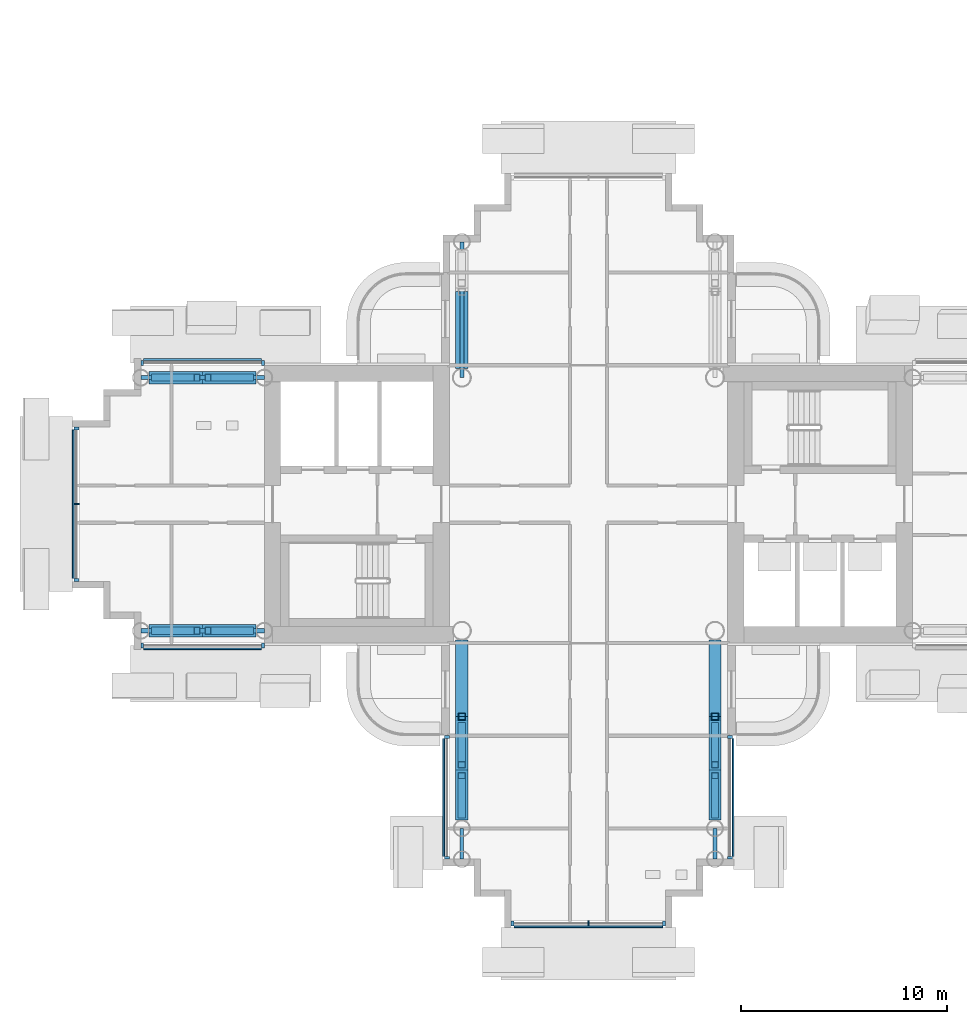
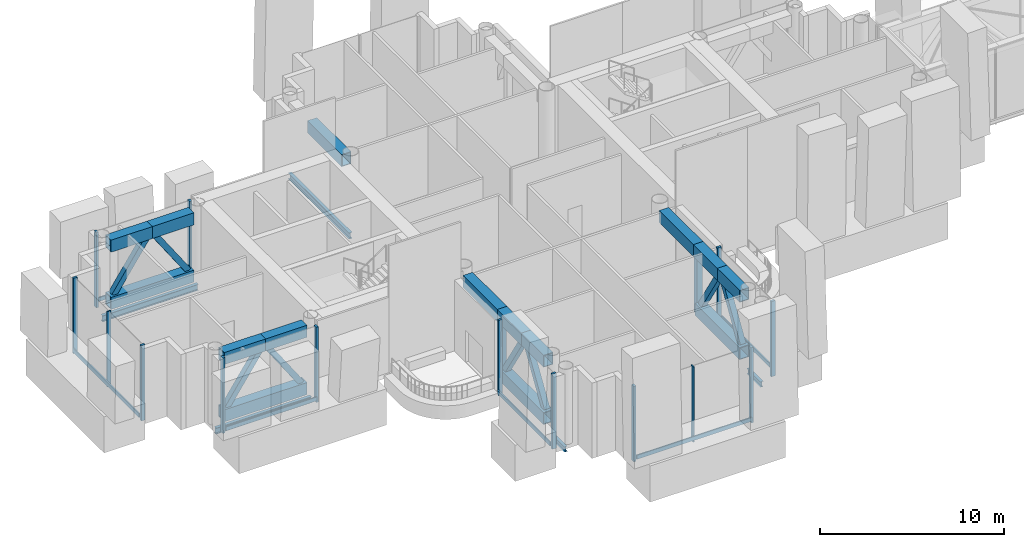
# One storey, part 3 of 34: 45 members, 5 beams, 6 elements without a shape of their own.
"""IFC4 building model written with IfcOpenShell, lengths in metres."""

from ifc_helpers import new_model, si_unit, direction, frame, origin, origin_2d, place, context, subcontext, project, spatial, rectangle, hollow_rectangle, i_section, extrude, material, layer, layer_set, material_profile, profile_set, type_object, element, aggregate, save


model = new_model("IFC4")

# Units and contexts
model_context = context("Model", 3, precision=1e-05, world=origin(), true_north=direction((0.0, 1.0)))
body_context = subcontext(model_context, "Body", "Model", "MODEL_VIEW")
ifc_project = project(units=[si_unit("LENGTHUNIT", "METRE"), si_unit("AREAUNIT", "SQUARE_METRE"), si_unit("VOLUMEUNIT", "CUBIC_METRE"), si_unit("PLANEANGLEUNIT", "RADIAN"), si_unit("MASSUNIT", "GRAM", prefix="KILO")], contexts=[model_context])

# Site, building, storey
site_placement = place(None, origin())
site = spatial("IfcSite", under=ifc_project, at=site_placement, CompositionType="ELEMENT")
building_placement = place(site_placement, origin())
building = spatial("IfcBuilding", under=site, at=building_placement, Name="Ipe Terrace Towers", CompositionType="ELEMENT")
storey_placement = place(building_placement, frame((0.0, 0.0, 128.699951171875)))
storey = spatial("IfcBuildingStorey", under=building, at=storey_placement, Name="L35", CompositionType="ELEMENT", Elevation=128.699951171875)

# Beams
ifc_material_1 = material(Name="Steel S355", Category="steel")
ifc_material_profile_1 = material_profile(ifc_material_1, i_section(OverallWidth=0.175048828125, OverallDepth=0.35009765625, WebThickness=0.007080078125, FlangeThickness=0.010986328125, at=origin_2d()), Name="H-350x175x7x11")
ifc_profile_set_1 = profile_set([ifc_material_profile_1], Name="Steel S355")
beam_type_1 = type_object("IfcBeamType", Name="H04 EDGE BEAM H-350x175x7x11", PredefinedType="BEAM", material=ifc_profile_set_1)
for number, where, z_axis, x_axis, name in (
    (1, (-42.14990234375, -15.75, -0.574951171875), (0.0, -1.0, 0.0), (1.0, 0.0, 0.0), "Edge beam T1-EB-D03-D05"),
    (2, (-29.85009765625, -15.75, -0.574951171875), (0.0, -1.0, 0.0), (1.0, 0.0, 0.0), "Edge beam T1-EB-D04-D06"),
):
    element("IfcBeam", number, at=place(storey_placement, frame(where, z_axis=z_axis, x_axis=x_axis)), inside=storey, type_object=beam_type_1, Name=name, PredefinedType="BEAM", context=body_context, shape_type="SweptSolid", body=[
        extrude(i_section(OverallWidth=0.175048828125, OverallDepth=0.35009765625, WebThickness=0.007080078125, FlangeThickness=0.010986328125, at=origin_2d()), origin(), (0.0, 0.0, 1.0), 1.5),
    ])
ifc_material_2 = material(Name="Steel S355", Category="steel")
ifc_material_profile_2 = material_profile(ifc_material_2, i_section(OverallWidth=0.199951171875, OverallDepth=0.39990234375, WebThickness=0.008056640625, FlangeThickness=0.012939453125, at=origin_2d()), Name="H-400x200x8x13")
ifc_profile_set_2 = profile_set([ifc_material_profile_2], Name="Steel S355")
beam_type_2 = type_object("IfcBeamType", Name="H06 EDGE BEAM H-400x200x8x13", PredefinedType="BEAM", material=ifc_profile_set_2)
beam_placement = place(storey_placement, frame((-42.14990234375, 12.75, -0.599853515625), z_axis=(0.0, -1.0, 0.0), x_axis=(1.0, 0.0, 0.0)))
element("IfcBeam", 3, at=beam_placement, inside=storey, type_object=beam_type_2, Name="Edge beam T1-EB-B02-E04", PredefinedType="BEAM", context=body_context, shape_type="SweptSolid", body=[
    extrude(i_section(OverallWidth=0.199951171875, OverallDepth=0.39990234375, WebThickness=0.008056640625, FlangeThickness=0.012939453125, at=origin_2d()), origin(), (0.0, 0.0, 1.0), 6.60009765625),
])
for number, where, z_axis, x_axis, name in (
    (4, (-51.75, -6.14990234375, -0.599853515625), (-1.0, 0.0, 0.0), (0.0, -1.0, 0.0), "Edge beam T1-EB-C01-C03"),
    (5, (-51.75, 6.14990234375, -0.599853515625), (-1.0, 0.0, 0.0), (0.0, -1.0, 0.0), "Edge beam T1-EB-C02-C04"),
):
    element("IfcBeam", number, at=place(storey_placement, frame(where, z_axis=z_axis, x_axis=x_axis)), inside=storey, type_object=beam_type_2, Name=name, PredefinedType="BEAM", context=body_context, shape_type="SweptSolid", body=[
        extrude(i_section(OverallWidth=0.199951171875, OverallDepth=0.39990234375, WebThickness=0.008056640625, FlangeThickness=0.012939453125, at=origin_2d()), origin(), (0.0, 0.0, 1.0), 6.0),
    ])

# Members
ifc_material_3 = material(Name="Steel S355", Category="steel")
ifc_material_profile_3 = material_profile(ifc_material_3, hollow_rectangle(XDim=0.35009765625, YDim=0.35009765625, WallThickness=0.02001953125, at=origin_2d()), Name="OUTRIGGER-BRACE BOX 350x350x20")
ifc_profile_set_3 = profile_set([ifc_material_profile_3], Name="Steel S355")
member_type_1 = type_object("IfcMemberType", Name="OUTRIGGER-BRACE BOX 350x350x20", PredefinedType="BRACE", material=ifc_profile_set_3)
for number, where, z_axis, x_axis, name in (
    (6, (-52.4169921875, -6.14990234375, 0.780029296875), (-0.56206654505, 0.0, 0.827092013585), (0.0, -1.0, 0.0), "T1-OR-L35-162 diagonal"),
    (7, (-57.0830078125, -6.14990234375, 0.780029296875), (0.56206654505, 0.0, 0.827092013585), (0.0, 1.0, 0.0), "T1-OR-L35-163 diagonal"),
    (8, (-52.4169921875, 6.14990234375, 0.780029296875), (-0.56206654505, 0.0, 0.827092013585), (0.0, -1.0, 0.0), "T1-OR-L35-167 diagonal"),
    (9, (-57.0830078125, 6.14990234375, 0.780029296875), (0.56206654505, 0.0, 0.827092013585), (0.0, 1.0, 0.0), "T1-OR-L35-168 diagonal"),
):
    element("IfcMember", number, at=place(storey_placement, frame(where, z_axis=z_axis, x_axis=x_axis)), inside=storey, type_object=member_type_1, Name=name, PredefinedType="BRACE", context=body_context, shape_type="SweptSolid", body=[
        extrude(hollow_rectangle(XDim=0.35009765625, YDim=0.35009765625, WallThickness=0.02001953125, at=origin_2d()), origin(), (0.0, 0.0, 1.0), 3.675537109375),
    ])
for number, where, z_axis, x_axis, name in (
    (10, (-29.85009765625, -10.761962890625, 0.780029296875), (0.0, -0.530219259302, 0.847860564636), (1.0, 0.0, 0.0), "T1-OR-L35-182 diagonal"),
    (11, (-29.85009765625, -15.087890625, 0.780029296875), (0.0, 0.530170308736, 0.847891174464), (-1.0, 0.0, 0.0), "T1-OR-L35-183 diagonal"),
    (12, (-42.14990234375, -10.761962890625, 0.780029296875), (0.0, -0.530219259302, 0.847860564636), (1.0, 0.0, 0.0), "T1-OR-L35-189 diagonal"),
    (13, (-42.14990234375, -15.087890625, 0.780029296875), (0.0, 0.530170308736, 0.847891174464), (-1.0, 0.0, 0.0), "T1-OR-L35-190 diagonal"),
):
    element("IfcMember", number, at=place(storey_placement, frame(where, z_axis=z_axis, x_axis=x_axis)), inside=storey, type_object=member_type_1, Name=name, PredefinedType="BRACE", context=body_context, shape_type="SweptSolid", body=[
        extrude(hollow_rectangle(XDim=0.35009765625, YDim=0.35009765625, WallThickness=0.02001953125, at=origin_2d()), origin(), (0.0, 0.0, 1.0), 3.58544921875),
    ])
ifc_material_4 = material(Name="Steel S355", Category="steel")
ifc_material_profile_4 = material_profile(ifc_material_4, hollow_rectangle(XDim=0.60009765625, YDim=0.800048828125, WallThickness=0.0400390625, at=origin_2d()), Name="OUTRIGGER-CHORD BOX 600x800x40")
ifc_profile_set_4 = profile_set([ifc_material_profile_4], Name="Steel S355")
member_type_2 = type_object("IfcMemberType", Name="OUTRIGGER-CHORD BOX 600x800x40", PredefinedType="CHORD", material=ifc_profile_set_4)
member_1_placement = place(storey_placement, frame((-52.14990234375, -6.14990234375, 0.400146484375), z_axis=(-1.0, 0.0, 0.0), x_axis=(0.0, -1.0, 0.0)))
element("IfcMember", 14, at=member_1_placement, inside=storey, type_object=member_type_2, Name="T1-OR-L35-161 bottom chord", PredefinedType="CHORD", context=body_context, shape_type="SweptSolid", body=[
    extrude(hollow_rectangle(XDim=0.60009765625, YDim=0.800048828125, WallThickness=0.0400390625, at=origin_2d()), origin(), (0.0, 0.0, 1.0), 5.2001953125),
])
for number, where, z_axis, x_axis, name in (
    (15, (-52.14990234375, -6.14990234375, 4.199951171875), (-1.0, 0.0, 0.0), (0.0, -1.0, 0.0), "T1-OR-L35-164 top chord"),
    (16, (-54.75, -6.14990234375, 4.199951171875), (-1.0, 0.0, 0.0), (0.0, -1.0, 0.0), "T1-OR-L35-165 top chord"),
):
    element("IfcMember", number, at=place(storey_placement, frame(where, z_axis=z_axis, x_axis=x_axis)), inside=storey, type_object=member_type_2, Name=name, PredefinedType="CHORD", context=body_context, shape_type="SweptSolid", body=[
        extrude(hollow_rectangle(XDim=0.60009765625, YDim=0.800048828125, WallThickness=0.0400390625, at=origin_2d()), origin(), (0.0, 0.0, 1.0), 2.60009765625),
    ])
member_2_placement = place(storey_placement, frame((-52.14990234375, 6.14990234375, 0.400146484375), z_axis=(-1.0, 0.0, 0.0), x_axis=(0.0, -1.0, 0.0)))
element("IfcMember", 17, at=member_2_placement, inside=storey, type_object=member_type_2, Name="T1-OR-L35-166 bottom chord", PredefinedType="CHORD", context=body_context, shape_type="SweptSolid", body=[
    extrude(hollow_rectangle(XDim=0.60009765625, YDim=0.800048828125, WallThickness=0.0400390625, at=origin_2d()), origin(), (0.0, 0.0, 1.0), 5.2001953125),
])
for number, where, z_axis, x_axis, name in (
    (18, (-52.14990234375, 6.14990234375, 4.199951171875), (-1.0, 0.0, 0.0), (0.0, -1.0, 0.0), "T1-OR-L35-169 top chord"),
    (19, (-54.75, 6.14990234375, 4.199951171875), (-1.0, 0.0, 0.0), (0.0, -1.0, 0.0), "T1-OR-L35-170 top chord"),
):
    element("IfcMember", number, at=place(storey_placement, frame(where, z_axis=z_axis, x_axis=x_axis)), inside=storey, type_object=member_type_2, Name=name, PredefinedType="CHORD", context=body_context, shape_type="SweptSolid", body=[
        extrude(hollow_rectangle(XDim=0.60009765625, YDim=0.800048828125, WallThickness=0.0400390625, at=origin_2d()), origin(), (0.0, 0.0, 1.0), 2.60009765625),
    ])
member_3_placement = place(storey_placement, frame((-42.14990234375, 6.60009765625, 4.199951171875), z_axis=(0.0, 1.0, 0.0), x_axis=(-1.0, 0.0, 0.0)))
element("IfcMember", 20, at=member_3_placement, inside=storey, type_object=member_type_2, Name="T1-OR-L35-174 top chord", PredefinedType="CHORD", context=body_context, shape_type="SweptSolid", body=[
    extrude(hollow_rectangle(XDim=0.60009765625, YDim=0.800048828125, WallThickness=0.0400390625, at=origin_2d()), origin(), (0.0, 0.0, 1.0), 3.724853515625),
])
member_4_placement = place(storey_placement, frame((-29.85009765625, -10.5, 0.400146484375), z_axis=(0.0, -1.0, 0.0), x_axis=(1.0, 0.0, 0.0)))
element("IfcMember", 21, at=member_4_placement, inside=storey, type_object=member_type_2, Name="T1-OR-L35-181 bottom chord", PredefinedType="CHORD", context=body_context, shape_type="SweptSolid", body=[
    extrude(hollow_rectangle(XDim=0.60009765625, YDim=0.800048828125, WallThickness=0.0400390625, at=origin_2d()), origin(), (0.0, 0.0, 1.0), 4.85009765625),
])
member_5_placement = place(storey_placement, frame((-29.85009765625, -6.60009765625, 4.199951171875), z_axis=(0.0, -1.0, 0.0), x_axis=(1.0, 0.0, 0.0)))
element("IfcMember", 22, at=member_5_placement, inside=storey, type_object=member_type_2, Name="T1-OR-L35-185 top chord", PredefinedType="CHORD", context=body_context, shape_type="SweptSolid", body=[
    extrude(hollow_rectangle(XDim=0.60009765625, YDim=0.800048828125, WallThickness=0.0400390625, at=origin_2d()), origin(), (0.0, 0.0, 1.0), 3.724853515625),
])
member_6_placement = place(storey_placement, frame((-29.85009765625, -10.324951171875, 4.199951171875), z_axis=(0.0, -1.0, 0.0), x_axis=(1.0, 0.0, 0.0)))
element("IfcMember", 23, at=member_6_placement, inside=storey, type_object=member_type_2, Name="T1-OR-L35-186 top chord", PredefinedType="CHORD", context=body_context, shape_type="SweptSolid", body=[
    extrude(hollow_rectangle(XDim=0.60009765625, YDim=0.800048828125, WallThickness=0.0400390625, at=origin_2d()), origin(), (0.0, 0.0, 1.0), 2.60009765625),
])
member_7_placement = place(storey_placement, frame((-29.85009765625, -12.925048828125, 4.199951171875), z_axis=(0.0, -1.0, 0.0), x_axis=(1.0, 0.0, 0.0)))
element("IfcMember", 24, at=member_7_placement, inside=storey, type_object=member_type_2, Name="T1-OR-L35-187 top chord", PredefinedType="CHORD", context=body_context, shape_type="SweptSolid", body=[
    extrude(hollow_rectangle(XDim=0.60009765625, YDim=0.800048828125, WallThickness=0.0400390625, at=origin_2d()), origin(), (0.0, 0.0, 1.0), 2.425048828125),
])
member_8_placement = place(storey_placement, frame((-42.14990234375, -10.5, 0.400146484375), z_axis=(0.0, -1.0, 0.0), x_axis=(1.0, 0.0, 0.0)))
element("IfcMember", 25, at=member_8_placement, inside=storey, type_object=member_type_2, Name="T1-OR-L35-188 bottom chord", PredefinedType="CHORD", context=body_context, shape_type="SweptSolid", body=[
    extrude(hollow_rectangle(XDim=0.60009765625, YDim=0.800048828125, WallThickness=0.0400390625, at=origin_2d()), origin(), (0.0, 0.0, 1.0), 4.85009765625),
])
member_9_placement = place(storey_placement, frame((-42.14990234375, -6.60009765625, 4.199951171875), z_axis=(0.0, -1.0, 0.0), x_axis=(1.0, 0.0, 0.0)))
element("IfcMember", 26, at=member_9_placement, inside=storey, type_object=member_type_2, Name="T1-OR-L35-192 top chord", PredefinedType="CHORD", context=body_context, shape_type="SweptSolid", body=[
    extrude(hollow_rectangle(XDim=0.60009765625, YDim=0.800048828125, WallThickness=0.0400390625, at=origin_2d()), origin(), (0.0, 0.0, 1.0), 3.724853515625),
])
member_10_placement = place(storey_placement, frame((-42.14990234375, -10.324951171875, 4.199951171875), z_axis=(0.0, -1.0, 0.0), x_axis=(1.0, 0.0, 0.0)))
element("IfcMember", 27, at=member_10_placement, inside=storey, type_object=member_type_2, Name="T1-OR-L35-193 top chord", PredefinedType="CHORD", context=body_context, shape_type="SweptSolid", body=[
    extrude(hollow_rectangle(XDim=0.60009765625, YDim=0.800048828125, WallThickness=0.0400390625, at=origin_2d()), origin(), (0.0, 0.0, 1.0), 2.60009765625),
])
member_11_placement = place(storey_placement, frame((-42.14990234375, -12.925048828125, 4.199951171875), z_axis=(0.0, -1.0, 0.0), x_axis=(1.0, 0.0, 0.0)))
element("IfcMember", 28, at=member_11_placement, inside=storey, type_object=member_type_2, Name="T1-OR-L35-194 top chord", PredefinedType="CHORD", context=body_context, shape_type="SweptSolid", body=[
    extrude(hollow_rectangle(XDim=0.60009765625, YDim=0.800048828125, WallThickness=0.0400390625, at=origin_2d()), origin(), (0.0, 0.0, 1.0), 2.425048828125),
])
ifc_material_5 = material(Name="Steel S355", Category="steel")
ifc_material_profile_5 = material_profile(ifc_material_5, hollow_rectangle(XDim=0.35009765625, YDim=0.35009765625, WallThickness=0.02001953125, at=origin_2d()), Name="OUTRIGGER-POST BOX 350x350x20")
ifc_profile_set_5 = profile_set([ifc_material_profile_5], Name="Steel S355")
member_type_3 = type_object("IfcMemberType", Name="OUTRIGGER-POST BOX 350x350x20", PredefinedType="POST", material=ifc_profile_set_5)
for number, where, z_axis, x_axis, name in (
    (29, (-29.85009765625, -10.324951171875, 0.0), (0.0, 0.0, 1.0), (1.0, 0.0, 0.0), "T1-OR-L35-184 post"),
    (30, (-42.14990234375, -10.324951171875, 0.0), (0.0, 0.0, 1.0), (1.0, 0.0, 0.0), "T1-OR-L35-191 post"),
):
    element("IfcMember", number, at=place(storey_placement, frame(where, z_axis=z_axis, x_axis=x_axis)), inside=storey, type_object=member_type_3, Name=name, PredefinedType="POST", context=body_context, shape_type="SweptSolid", body=[
        extrude(hollow_rectangle(XDim=0.35009765625, YDim=0.35009765625, WallThickness=0.02001953125, at=origin_2d()), origin(), (0.0, 0.0, 1.0), 3.800048828125),
    ])

# Curtain wall, members
ifc_material_6 = material(Name="Aluminium alloy 6063-T6", Category="aluminium")
ifc_layer = layer(ifc_material_6, 0.320068359375)
ifc_layer_set = layer_set([ifc_layer], Name="REFUGE FLOOR CURTAIN WALL")
curtain_wall_type = type_object("IfcCurtainWallType", Name="REFUGE FLOOR CURTAIN WALL", PredefinedType="NOTDEFINED", material=ifc_layer_set)
curtain_wall_1_placement = place(storey_placement, origin())
curtain_wall_1 = element("IfcCurtainWall", 31, at=curtain_wall_1_placement, inside=storey, type_object=curtain_wall_type, Name="T1-CW-L35-04a curtain wall", PredefinedType="NOTDEFINED")
ifc_material_7 = material(Name="Aluminium alloy 6063-T6", Category="aluminium")
ifc_material_profile_6 = material_profile(ifc_material_7, rectangle(XDim=0.239990234375, YDim=0.139892578125, at=origin_2d()), Name="REFUGE FLOOR CORNER MULLION 240 x 140")
ifc_profile_set_6 = profile_set([ifc_material_profile_6], Name="Aluminium alloy 6063-T6")
member_type_4 = type_object("IfcMemberType", Name="REFUGE FLOOR CORNER MULLION 240 x 140", PredefinedType="MULLION", material=ifc_profile_set_6)
member_12_placement = place(storey_placement, frame((-57.679931640625, -6.8701171875, -0.300048828125), z_axis=(0.0, 0.0, 1.0), x_axis=(0.0, -1.0, 0.0)))
member_12 = element("IfcMember", 32, at=member_12_placement, type_object=member_type_4, Name="T1-CW-L35-04a mullion 1", PredefinedType="MULLION", context=body_context, shape_type="SweptSolid", body=[
    extrude(rectangle(XDim=0.239990234375, YDim=0.139892578125, at=origin_2d()), origin(), (0.0, 0.0, 1.0), 5.0),
])
member_13_placement = place(storey_placement, frame((-51.821044921875, -6.8701171875, -0.300048828125), z_axis=(0.0, 0.0, 1.0), x_axis=(0.0, -1.0, 0.0)))
member_13 = element("IfcMember", 33, at=member_13_placement, type_object=member_type_4, Name="T1-CW-L35-04a mullion 2", PredefinedType="MULLION", context=body_context, shape_type="SweptSolid", body=[
    extrude(rectangle(XDim=0.239990234375, YDim=0.139892578125, at=origin_2d()), origin(), (0.0, 0.0, 1.0), 5.0),
])

curtain_wall_2_placement = place(storey_placement, origin())
curtain_wall_2 = element("IfcCurtainWall", 34, at=curtain_wall_2_placement, inside=storey, type_object=curtain_wall_type, Name="T1-CW-L35-07a curtain wall", PredefinedType="NOTDEFINED")
member_14_placement = place(storey_placement, frame((-42.8701171875, -11.320068359375, -0.300048828125), z_axis=(0.0, 0.0, 1.0), x_axis=(-1.0, 0.0, 0.0)))
member_14 = element("IfcMember", 35, at=member_14_placement, type_object=member_type_4, Name="T1-CW-L35-07a mullion 1", PredefinedType="MULLION", context=body_context, shape_type="SweptSolid", body=[
    extrude(rectangle(XDim=0.239990234375, YDim=0.139892578125, at=origin_2d()), origin(), (0.0, 0.0, 1.0), 5.0),
])
member_15_placement = place(storey_placement, frame((-42.8701171875, -17.179931640625, -0.300048828125), z_axis=(0.0, 0.0, 1.0), x_axis=(-1.0, 0.0, 0.0)))
member_15 = element("IfcMember", 36, at=member_15_placement, type_object=member_type_4, Name="T1-CW-L35-07a mullion 2", PredefinedType="MULLION", context=body_context, shape_type="SweptSolid", body=[
    extrude(rectangle(XDim=0.239990234375, YDim=0.139892578125, at=origin_2d()), origin(), (0.0, 0.0, 1.0), 5.0),
])

curtain_wall_3_placement = place(storey_placement, origin())
curtain_wall_3 = element("IfcCurtainWall", 37, at=curtain_wall_3_placement, inside=storey, type_object=curtain_wall_type, Name="T1-CW-L35-12a curtain wall", PredefinedType="NOTDEFINED")
member_16_placement = place(storey_placement, frame((-39.679931640625, -20.3701171875, -0.300048828125), z_axis=(0.0, 0.0, 1.0), x_axis=(0.0, -1.0, 0.0)))
member_16 = element("IfcMember", 38, at=member_16_placement, type_object=member_type_4, Name="T1-CW-L35-12a mullion 1", PredefinedType="MULLION", context=body_context, shape_type="SweptSolid", body=[
    extrude(rectangle(XDim=0.239990234375, YDim=0.139892578125, at=origin_2d()), origin(), (0.0, 0.0, 1.0), 5.0),
])
member_17_placement = place(storey_placement, frame((-32.320068359375, -20.3701171875, -0.300048828125), z_axis=(0.0, 0.0, 1.0), x_axis=(0.0, -1.0, 0.0)))
member_17 = element("IfcMember", 39, at=member_17_placement, type_object=member_type_4, Name="T1-CW-L35-12a mullion 3", PredefinedType="MULLION", context=body_context, shape_type="SweptSolid", body=[
    extrude(rectangle(XDim=0.239990234375, YDim=0.139892578125, at=origin_2d()), origin(), (0.0, 0.0, 1.0), 5.0),
])

curtain_wall_4_placement = place(storey_placement, origin())
curtain_wall_4 = element("IfcCurtainWall", 40, at=curtain_wall_4_placement, inside=storey, type_object=curtain_wall_type, Name="T1-CW-L35-17a curtain wall", PredefinedType="NOTDEFINED")
member_18_placement = place(storey_placement, frame((-29.1298828125, -17.179931640625, -0.300048828125), z_axis=(0.0, 0.0, 1.0), x_axis=(1.0, 0.0, 0.0)))
member_18 = element("IfcMember", 41, at=member_18_placement, type_object=member_type_4, Name="T1-CW-L35-17a mullion 1", PredefinedType="MULLION", context=body_context, shape_type="SweptSolid", body=[
    extrude(rectangle(XDim=0.239990234375, YDim=0.139892578125, at=origin_2d()), origin(), (0.0, 0.0, 1.0), 5.0),
])
member_19_placement = place(storey_placement, frame((-29.1298828125, -11.320068359375, -0.300048828125), z_axis=(0.0, 0.0, 1.0), x_axis=(1.0, 0.0, 0.0)))
member_19 = element("IfcMember", 42, at=member_19_placement, type_object=member_type_4, Name="T1-CW-L35-17a mullion 2", PredefinedType="MULLION", context=body_context, shape_type="SweptSolid", body=[
    extrude(rectangle(XDim=0.239990234375, YDim=0.139892578125, at=origin_2d()), origin(), (0.0, 0.0, 1.0), 5.0),
])

curtain_wall_5_placement = place(storey_placement, origin())
curtain_wall_5 = element("IfcCurtainWall", 43, at=curtain_wall_5_placement, inside=storey, type_object=curtain_wall_type, Name="T1-CW-L35-46b curtain wall", PredefinedType="NOTDEFINED")
member_20_placement = place(storey_placement, frame((-51.821044921875, 6.8701171875, -0.300048828125), z_axis=(0.0, 0.0, 1.0), x_axis=(0.0, 1.0, 0.0)))
member_20 = element("IfcMember", 44, at=member_20_placement, type_object=member_type_4, Name="T1-CW-L35-46b mullion 1", PredefinedType="MULLION", context=body_context, shape_type="SweptSolid", body=[
    extrude(rectangle(XDim=0.239990234375, YDim=0.139892578125, at=origin_2d()), origin(), (0.0, 0.0, 1.0), 5.0),
])
member_21_placement = place(storey_placement, frame((-57.679931640625, 6.8701171875, -0.300048828125), z_axis=(0.0, 0.0, 1.0), x_axis=(0.0, 1.0, 0.0)))
member_21 = element("IfcMember", 45, at=member_21_placement, type_object=member_type_4, Name="T1-CW-L35-46b mullion 2", PredefinedType="MULLION", context=body_context, shape_type="SweptSolid", body=[
    extrude(rectangle(XDim=0.239990234375, YDim=0.139892578125, at=origin_2d()), origin(), (0.0, 0.0, 1.0), 5.0),
])

curtain_wall_6_placement = place(storey_placement, origin())
curtain_wall_6 = element("IfcCurtainWall", 46, at=curtain_wall_6_placement, inside=storey, type_object=curtain_wall_type, Name="T1-CW-L35-51a curtain wall", PredefinedType="NOTDEFINED")
member_22_placement = place(storey_placement, frame((-60.8701171875, 3.679931640625, -0.300048828125), z_axis=(0.0, 0.0, 1.0), x_axis=(-1.0, 0.0, 0.0)))
member_22 = element("IfcMember", 47, at=member_22_placement, type_object=member_type_4, Name="T1-CW-L35-51a mullion 1", PredefinedType="MULLION", context=body_context, shape_type="SweptSolid", body=[
    extrude(rectangle(XDim=0.239990234375, YDim=0.139892578125, at=origin_2d()), origin(), (0.0, 0.0, 1.0), 5.0),
])
member_23_placement = place(storey_placement, frame((-60.8701171875, -3.679931640625, -0.300048828125), z_axis=(0.0, 0.0, 1.0), x_axis=(-1.0, 0.0, 0.0)))
member_23 = element("IfcMember", 48, at=member_23_placement, type_object=member_type_4, Name="T1-CW-L35-51a mullion 3", PredefinedType="MULLION", context=body_context, shape_type="SweptSolid", body=[
    extrude(rectangle(XDim=0.239990234375, YDim=0.139892578125, at=origin_2d()), origin(), (0.0, 0.0, 1.0), 5.0),
])

# Member
ifc_material_8 = material(Name="Aluminium alloy 6063-T6", Category="aluminium")
ifc_material_profile_7 = material_profile(ifc_material_8, rectangle(XDim=0.239990234375, YDim=0.074951171875, at=origin_2d()), Name="REFUGE FLOOR MULLION 240 x 75")
ifc_profile_set_7 = profile_set([ifc_material_profile_7], Name="Aluminium alloy 6063-T6")
member_type_5 = type_object("IfcMemberType", Name="REFUGE FLOOR MULLION 240 x 75", PredefinedType="MULLION", material=ifc_profile_set_7)
member_24_placement = place(storey_placement, frame((-36.0, -20.3701171875, -0.300048828125), z_axis=(0.0, 0.0, 1.0), x_axis=(0.0, -1.0, 0.0)))
member_24 = element("IfcMember", 49, at=member_24_placement, type_object=member_type_5, Name="T1-CW-L35-12a mullion 2", PredefinedType="MULLION", context=body_context, shape_type="SweptSolid", body=[
    extrude(rectangle(XDim=0.239990234375, YDim=0.074951171875, at=origin_2d()), origin(), (0.0, 0.0, 1.0), 5.0),
])

member_25_placement = place(storey_placement, frame((-60.8701171875, 0.0, -0.300048828125), z_axis=(0.0, 0.0, 1.0), x_axis=(-1.0, 0.0, 0.0)))
member_25 = element("IfcMember", 50, at=member_25_placement, type_object=member_type_5, Name="T1-CW-L35-51a mullion 2", PredefinedType="MULLION", context=body_context, shape_type="SweptSolid", body=[
    extrude(rectangle(XDim=0.239990234375, YDim=0.074951171875, at=origin_2d()), origin(), (0.0, 0.0, 1.0), 5.0),
])

ifc_material_9 = material(Name="Aluminium alloy 6063-T6", Category="aluminium")
ifc_material_profile_8 = material_profile(ifc_material_9, rectangle(XDim=0.080078125, YDim=0.260009765625, at=origin_2d()), Name="REFUGE FLOOR TRANSOM 80 x 260")
ifc_profile_set_8 = profile_set([ifc_material_profile_8], Name="Aluminium alloy 6063-T6")
member_type_6 = type_object("IfcMemberType", Name="REFUGE FLOOR TRANSOM 80 x 260", PredefinedType="USERDEFINED", material=ifc_profile_set_8)
member_26_placement = place(storey_placement, frame((-57.610107421875, -7.030029296875, 0.0), z_axis=(1.0, 0.0, 0.0), x_axis=(0.0, -1.0, 0.0)))
member_26 = element("IfcMember", 51, at=member_26_placement, type_object=member_type_6, Name="T1-CW-L35-04a transom", ObjectType="TRANSOM", PredefinedType="USERDEFINED", context=body_context, shape_type="SweptSolid", body=[
    extrude(rectangle(XDim=0.080078125, YDim=0.260009765625, at=origin_2d()), origin(), (0.0, 0.0, 1.0), 5.718994140625),
])

aggregate(curtain_wall_1, [member_12, member_13, member_26])

member_27_placement = place(storey_placement, frame((-43.030029296875, -11.389892578125, 0.0), z_axis=(0.0, -1.0, 0.0), x_axis=(-1.0, 0.0, 0.0)))
member_27 = element("IfcMember", 52, at=member_27_placement, type_object=member_type_6, Name="T1-CW-L35-07a transom", ObjectType="TRANSOM", PredefinedType="USERDEFINED", context=body_context, shape_type="SweptSolid", body=[
    extrude(rectangle(XDim=0.080078125, YDim=0.260009765625, at=origin_2d()), origin(), (0.0, 0.0, 1.0), 5.72021484375),
])

aggregate(curtain_wall_2, [member_14, member_15, member_27])

member_28_placement = place(storey_placement, frame((-39.610107421875, -20.530029296875, 0.0), z_axis=(1.0, 0.0, 0.0), x_axis=(0.0, -1.0, 0.0)))
member_28 = element("IfcMember", 53, at=member_28_placement, type_object=member_type_6, Name="T1-CW-L35-12a transom", ObjectType="TRANSOM", PredefinedType="USERDEFINED", context=body_context, shape_type="SweptSolid", body=[
    extrude(rectangle(XDim=0.080078125, YDim=0.260009765625, at=origin_2d()), origin(), (0.0, 0.0, 1.0), 7.22021484375),
])

aggregate(curtain_wall_3, [member_16, member_24, member_17, member_28])

member_29_placement = place(storey_placement, frame((-28.969970703125, -17.110107421875, 0.0), z_axis=(0.0, 1.0, 0.0), x_axis=(1.0, 0.0, 0.0)))
member_29 = element("IfcMember", 54, at=member_29_placement, type_object=member_type_6, Name="T1-CW-L35-17a transom", ObjectType="TRANSOM", PredefinedType="USERDEFINED", context=body_context, shape_type="SweptSolid", body=[
    extrude(rectangle(XDim=0.080078125, YDim=0.260009765625, at=origin_2d()), origin(), (0.0, 0.0, 1.0), 5.72021484375),
])

aggregate(curtain_wall_4, [member_18, member_19, member_29])

member_30_placement = place(storey_placement, frame((-51.89111328125, 7.030029296875, 0.0), z_axis=(-1.0, 0.0, 0.0), x_axis=(0.0, 1.0, 0.0)))
member_30 = element("IfcMember", 55, at=member_30_placement, type_object=member_type_6, Name="T1-CW-L35-46b transom", ObjectType="TRANSOM", PredefinedType="USERDEFINED", context=body_context, shape_type="SweptSolid", body=[
    extrude(rectangle(XDim=0.080078125, YDim=0.260009765625, at=origin_2d()), origin(), (0.0, 0.0, 1.0), 5.718994140625),
])

aggregate(curtain_wall_5, [member_20, member_21, member_30])

member_31_placement = place(storey_placement, frame((-61.030029296875, 3.610107421875, 0.0), z_axis=(0.0, -1.0, 0.0), x_axis=(-1.0, 0.0, 0.0)))
member_31 = element("IfcMember", 56, at=member_31_placement, type_object=member_type_6, Name="T1-CW-L35-51a transom", ObjectType="TRANSOM", PredefinedType="USERDEFINED", context=body_context, shape_type="SweptSolid", body=[
    extrude(rectangle(XDim=0.080078125, YDim=0.260009765625, at=origin_2d()), origin(), (0.0, 0.0, 1.0), 7.22021484375),
])

aggregate(curtain_wall_6, [member_22, member_25, member_23, member_31])

save(model, "model.ifc")
